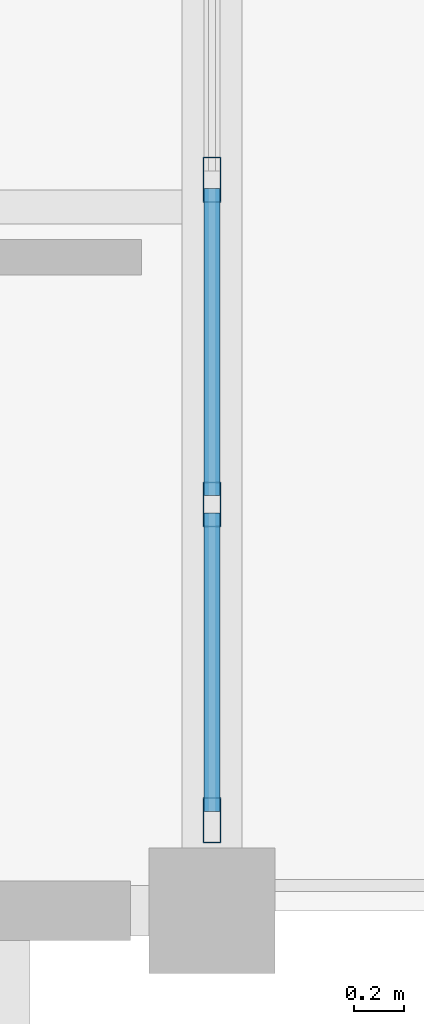
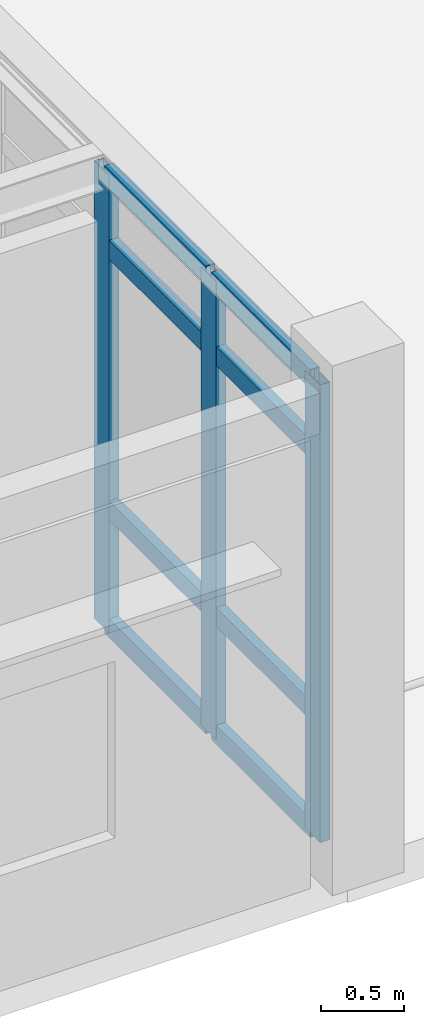
# One storey, part 31 of 70: 11 members, 1 element without a shape of its own.
"""IFC4 building model written with IfcOpenShell, lengths in metres."""

import ifcopenshell
import ifcopenshell.guid

model = None  # the IFC model being written
_history = None  # IfcOwnerHistory: only IFC2X3 demands one
_inside = {}  # id of a spatial element -> (the spatial element, [elements in it])
_under = {}  # id of a project, library or spatial element -> (it, [spatial elements below it])
_declared = {}  # id of a project -> (the project, [libraries it declares])
_typed = {}  # id of a type object -> (the type object, [elements of that type])
_made_of = {}  # id of a material, layer set ... -> (it, [elements and type objects made of it])


def new_model(schema):
    """Start an empty IFC model of exactly this schema.

    Asked for "IFC4X3", IfcOpenShell would pick the latest addendum, in which some entities
    have other attributes; the version numbers below select the first issue.
    IFC2X3 requires an IfcOwnerHistory on every rooted entity: one is made here for all.
    """
    global model, _history
    if schema == "IFC4X3":
        model = ifcopenshell.file(schema_version=(4, 3, 0, 0))
    else:
        model = ifcopenshell.file(schema=schema)
    _inside.clear()
    _under.clear()
    _declared.clear()
    _typed.clear()
    _made_of.clear()
    _history = None
    if model.schema == "IFC2X3":
        org = make("IfcOrganization", Name="unknown")
        user = make(
            "IfcPersonAndOrganization",
            ThePerson=make("IfcPerson", FamilyName="unknown"),
            TheOrganization=org,
        )
        app = make(
            "IfcApplication",
            ApplicationDeveloper=org,
            Version="unknown",
            ApplicationFullName="unknown",
            ApplicationIdentifier="unknown",
        )
        _history = make(
            "IfcOwnerHistory",
            OwningUser=user,
            OwningApplication=app,
            ChangeAction="ADDED",
            CreationDate=0,
        )
    return model


def make(cls, **values):
    """One entity of the class cls with the attributes given. An attribute that is None is left unset."""
    return model.create_entity(
        cls, **{name: value for name, value in values.items() if value is not None}
    )


def rooted(cls, **values):
    """An entity with a GlobalId (a new one), such as an element, a storey or a relation."""
    return make(cls, GlobalId=ifcopenshell.guid.new(), OwnerHistory=_history, **values)


def si_unit(unit_type, name, prefix=None):
    """IfcSIUnit, for example si_unit("LENGTHUNIT", "METRE", prefix="MILLI")."""
    return make("IfcSIUnit", UnitType=unit_type, Prefix=prefix, Name=name)


def assignment(units):
    """IfcUnitAssignment: the units of a project."""
    return None if units is None else make("IfcUnitAssignment", Units=units)


def point(xyz):
    """IfcCartesianPoint."""
    return None if xyz is None else make("IfcCartesianPoint", Coordinates=xyz)


def direction(xyz):
    """IfcDirection."""
    return None if xyz is None else make("IfcDirection", DirectionRatios=xyz)


def frame(location, z_axis=None, x_axis=None):
    """IfcAxis2Placement3D, a coordinate frame: its origin and axes. An axis left out is left unset."""
    return make(
        "IfcAxis2Placement3D",
        Location=point(location),
        Axis=direction(z_axis),
        RefDirection=direction(x_axis),
    )


def frame_2d(location, x_axis=None):
    """IfcAxis2Placement2D, a coordinate frame in the plane: its origin and x axis."""
    return make(
        "IfcAxis2Placement2D", Location=point(location), RefDirection=direction(x_axis)
    )


def origin():
    """The frame at (0, 0, 0) with its axes left unset."""
    return frame((0.0, 0.0, 0.0))


def origin_2d():
    """The frame at (0, 0) in the plane with its x axis left unset."""
    return frame_2d((0.0, 0.0))


def place(relative_to, where):
    """IfcLocalPlacement: puts the frame where relative to a parent placement (None: the world)."""
    return make(
        "IfcLocalPlacement", PlacementRelTo=relative_to, RelativePlacement=where
    )


def context(
    kind, dimensions, precision=None, world=None, true_north=None, identifier=None
):
    """IfcGeometricRepresentationContext, for example the 3D "Model" context."""
    return make(
        "IfcGeometricRepresentationContext",
        ContextIdentifier=identifier,
        ContextType=kind,
        CoordinateSpaceDimension=dimensions,
        Precision=precision,
        WorldCoordinateSystem=world,
        TrueNorth=true_north,
    )


def subcontext(parent, identifier, kind, view, scale=None):
    """IfcGeometricRepresentationSubContext, for example "Body" below "Model"."""
    return make(
        "IfcGeometricRepresentationSubContext",
        ContextIdentifier=identifier,
        ContextType=kind,
        ParentContext=parent,
        TargetScale=scale,
        TargetView=view,
    )


def project(units=None, contexts=None):
    """IfcProject with its units and contexts."""
    return rooted(
        "IfcProject",
        Name="project",
        RepresentationContexts=contexts,
        UnitsInContext=assignment(units),
    )


def spatial(cls, under=None, at=None, **own):
    """A site, building, storey or space (cls), placed at a placement, below another one or the project."""
    s = rooted(cls, ObjectPlacement=at, **own)
    if under is not None:
        _under.setdefault(under.id(), (under, []))[1].append(s)
    return s


def profile(cls, at=None, kind="AREA", **sizes):
    """A parametric profile (cls). Its sizes go by their IFC names, for example OverallWidth=200.0."""
    return make(cls, ProfileType=kind, Position=at, **sizes)


def hollow_rectangle(**sizes):
    """IfcRectangleHollowProfileDef."""
    return profile("IfcRectangleHollowProfileDef", **sizes)


def extrude(swept, where, along, depth):
    """IfcExtrudedAreaSolid: the profile swept, set in the frame where, extruded along a direction by depth."""
    return make(
        "IfcExtrudedAreaSolid",
        SweptArea=swept,
        Position=where,
        ExtrudedDirection=direction(along),
        Depth=depth,
    )


def shape(context_of_items, identifier, shape_type, items):
    """IfcShapeRepresentation: the items that make up one representation, for example the "Body"."""
    return make(
        "IfcShapeRepresentation",
        ContextOfItems=context_of_items,
        RepresentationIdentifier=identifier,
        RepresentationType=shape_type,
        Items=items,
    )


def material(Name=None, Category=None):
    """IfcMaterial."""
    return make("IfcMaterial", Name=Name, Category=Category)


def layer(
    of_material, thickness, ventilated=None, Name=None, Category=None, Priority=None
):
    """IfcMaterialLayer: one layer of a wall or slab, of a material (None: an air gap)."""
    return make(
        "IfcMaterialLayer",
        Material=of_material,
        LayerThickness=thickness,
        IsVentilated=ventilated,
        Name=Name,
        Category=Category,
        Priority=Priority,
    )


def layer_set(layers, Name=None):
    """IfcMaterialLayerSet."""
    return make("IfcMaterialLayerSet", MaterialLayers=layers, LayerSetName=Name)


def material_profile(
    of_material, cross_section, Name=None, Category=None, Priority=None
):
    """IfcMaterialProfile: a cross section and its material."""
    return make(
        "IfcMaterialProfile",
        Name=Name,
        Material=of_material,
        Profile=cross_section,
        Priority=Priority,
        Category=Category,
    )


def profile_set(profiles, Name=None, composite=None):
    """IfcMaterialProfileSet."""
    return make(
        "IfcMaterialProfileSet",
        Name=Name,
        MaterialProfiles=profiles,
        CompositeProfile=composite,
    )


def made_of(thing, what):
    """Note that an element or type object is made of a material, layer set ...; save() writes the relation."""
    if what is not None:
        _made_of.setdefault(what.id(), (what, []))[1].append(thing)
    return thing


def type_object(cls, material=None, **own):
    """A type object (cls), such as IfcWallType, which elements share."""
    return made_of(rooted(cls, **own), material)


def element(
    cls,
    number,
    at=None,
    inside=None,
    cuts=None,
    type_object=None,
    material=None,
    context=None,
    identifier="Body",
    shape_type=None,
    held_by="IfcProductDefinitionShape",
    body=None,
    shapes=None,
    **own,
):
    """One element of the class cls, such as IfcWall. Its Tag is "e" and its number.

    at: its placement. inside: the storey or other place that contains it. cuts: it is an
    opening in that element (IfcRelVoidsElement). A single representation is given by context,
    identifier, shape_type and body (its items); several are given by shapes. held_by: the class
    of the entity that holds the representations. save() writes the other relations.
    """
    e = rooted(cls, Tag="e%d" % number, ObjectPlacement=at, **own)
    if body is not None:
        shapes = [shape(context, identifier, shape_type, body)]
    if shapes is not None:
        e.Representation = make(held_by, Representations=shapes)
    if inside is not None:
        _inside.setdefault(inside.id(), (inside, []))[1].append(e)
    if cuts is not None:
        rooted(
            "IfcRelVoidsElement", RelatingBuildingElement=cuts, RelatedOpeningElement=e
        )
    if type_object is not None:
        _typed.setdefault(type_object.id(), (type_object, []))[1].append(e)
    return made_of(e, material)


def aggregate(whole, parts):
    """IfcRelAggregates: a whole, such as a stair, and the parts it consists of."""
    return rooted("IfcRelAggregates", RelatingObject=whole, RelatedObjects=parts)


def save(model, path):
    """Write the relations noted so far, then the file.

    IfcRelAggregates (storeys below a building ...), IfcRelContainedInSpatialStructure (elements
    in a storey), IfcRelDefinesByType, IfcRelAssociatesMaterial and IfcRelDeclares: one each for
    every whole, place, type object, material and project.
    """
    for whole, parts in _under.values():
        aggregate(whole, parts)
    for where, things in _inside.values():
        rooted(
            "IfcRelContainedInSpatialStructure",
            RelatedElements=things,
            RelatingStructure=where,
        )
    for kind, things in _typed.values():
        rooted("IfcRelDefinesByType", RelatedObjects=things, RelatingType=kind)
    for what, things in _made_of.values():
        rooted("IfcRelAssociatesMaterial", RelatedObjects=things, RelatingMaterial=what)
    for by, libraries in _declared.values():
        rooted("IfcRelDeclares", RelatingContext=by, RelatedDefinitions=libraries)
    model.write(path)


model = new_model("IFC4")

# Units and contexts
model_context = context("Model", 3, precision=1e-05, world=origin(), true_north=direction((0.0, 1.0)))
body_context = subcontext(model_context, "Body", "Model", "MODEL_VIEW")
ifc_project = project(units=[si_unit("LENGTHUNIT", "METRE"), si_unit("AREAUNIT", "SQUARE_METRE"), si_unit("VOLUMEUNIT", "CUBIC_METRE"), si_unit("PLANEANGLEUNIT", "RADIAN"), si_unit("MASSUNIT", "GRAM", prefix="KILO")], contexts=[model_context])

# Site, building, storey
site_placement = place(None, origin())
site = spatial("IfcSite", under=ifc_project, at=site_placement, CompositionType="ELEMENT")
building_placement = place(site_placement, origin())
building = spatial("IfcBuilding", under=site, at=building_placement, Name="Bramfleet General Hospital", CompositionType="ELEMENT")
storey_placement = place(building_placement, frame((0.0, 0.0, 22.5)))
storey = spatial("IfcBuildingStorey", under=building, at=storey_placement, Name="L05", CompositionType="ELEMENT", Elevation=22.5)

# Curtain wall, members
ifc_material_1 = material(Name="Anodised aluminium and low-E triple glazing", Category="aluminium")
ifc_layer = layer(ifc_material_1, 0.179931640625, Name="CWT-CW-07")
ifc_layer_set = layer_set([ifc_layer], Name="Anodised aluminium and low-E triple glazing")
curtain_wall_type = type_object("IfcCurtainWallType", Name="CWT-CW-07", PredefinedType="USERDEFINED", material=ifc_layer_set)
curtain_wall_placement = place(storey_placement, origin())
curtain_wall = element("IfcCurtainWall", 1, at=curtain_wall_placement, inside=storey, type_object=curtain_wall_type, Name="L05 Curtain Wall 205", ObjectType="Unitised curtain wall", PredefinedType="USERDEFINED")
ifc_material_2 = material(Name="Anodised aluminium EN AW-6060", Category="aluminium")
ifc_material_profile_1 = material_profile(ifc_material_2, hollow_rectangle(XDim=0.070068359375, YDim=0.179931640625, WallThickness=0.00390625, at=origin_2d()), Name="ALU 180x70x4.0")
ifc_profile_set_1 = profile_set([ifc_material_profile_1], Name="Anodised aluminium EN AW-6060")
member_type_1 = type_object("IfcMemberType", Name="CWM-ALU180", PredefinedType="MULLION", material=ifc_profile_set_1)
member_1_placement = place(storey_placement, frame((159.60009765625, 95.308349609375, 0.0), z_axis=(0.0, 0.0, 1.0), x_axis=(1.0, 0.0, 0.0)))
member_1 = element("IfcMember", 2, at=member_1_placement, type_object=member_type_1, Name="CW-07 mullion 5", PredefinedType="MULLION", context=body_context, shape_type="SweptSolid", body=[
    extrude(hollow_rectangle(XDim=0.070068359375, YDim=0.179931640625, WallThickness=0.00390625, at=origin_2d()), origin(), (0.0, 0.0, 1.0), 3.3701171875),
])
member_2_placement = place(storey_placement, frame((159.60009765625, 94.0166015625, 0.0), z_axis=(0.0, 0.0, 1.0), x_axis=(1.0, 0.0, 0.0)))
member_2 = element("IfcMember", 3, at=member_2_placement, type_object=member_type_1, Name="CW-07 mullion 6", PredefinedType="MULLION", context=body_context, shape_type="SweptSolid", body=[
    extrude(hollow_rectangle(XDim=0.070068359375, YDim=0.179931640625, WallThickness=0.00390625, at=origin_2d()), origin(), (0.0, 0.0, 1.0), 3.3701171875),
])
member_3_placement = place(storey_placement, frame((159.60009765625, 92.760009765625, 0.0), z_axis=(0.0, 0.0, 1.0), x_axis=(1.0, 0.0, 0.0)))
member_3 = element("IfcMember", 4, at=member_3_placement, type_object=member_type_1, Name="CW-07 mullion 7", PredefinedType="MULLION", context=body_context, shape_type="SweptSolid", body=[
    extrude(hollow_rectangle(XDim=0.070068359375, YDim=0.179931640625, WallThickness=0.00390625, at=origin_2d()), origin(), (0.0, 0.0, 1.0), 3.3701171875),
])
ifc_material_profile_2 = material_profile(ifc_material_2, hollow_rectangle(XDim=0.06494140625, YDim=0.139892578125, WallThickness=0.00390625, at=origin_2d()), Name="ALU 140x65x4.0")
ifc_profile_set_2 = profile_set([ifc_material_profile_2], Name="Anodised aluminium EN AW-6060")
member_type_2 = type_object("IfcMemberType", Name="CWT-ALU140", PredefinedType="USERDEFINED", material=ifc_profile_set_2)
member_4_placement = place(storey_placement, frame((159.60009765625, 95.2734375, 0.032470703125), z_axis=(0.0, -1.0, 0.0), x_axis=(1.0, 0.0, 0.0)))
member_4 = element("IfcMember", 5, at=member_4_placement, type_object=member_type_2, Name="CW-07 transom 5.1", ObjectType="TRANSOM", PredefinedType="USERDEFINED", context=body_context, shape_type="SweptSolid", body=[
    extrude(hollow_rectangle(XDim=0.06494140625, YDim=0.139892578125, WallThickness=0.00390625, at=origin_2d()), origin(), (0.0, 0.0, 1.0), 1.2216796875),
])
member_5_placement = place(storey_placement, frame((159.60009765625, 95.2734375, 0.89990234375), z_axis=(0.0, -1.0, 0.0), x_axis=(1.0, 0.0, 0.0)))
member_5 = element("IfcMember", 6, at=member_5_placement, type_object=member_type_2, Name="CW-07 transom 5.2", ObjectType="TRANSOM", PredefinedType="USERDEFINED", context=body_context, shape_type="SweptSolid", body=[
    extrude(hollow_rectangle(XDim=0.06494140625, YDim=0.139892578125, WallThickness=0.00390625, at=origin_2d()), origin(), (0.0, 0.0, 1.0), 1.2216796875),
])
member_6_placement = place(storey_placement, frame((159.60009765625, 95.2734375, 2.820068359375), z_axis=(0.0, -1.0, 0.0), x_axis=(1.0, 0.0, 0.0)))
member_6 = element("IfcMember", 7, at=member_6_placement, type_object=member_type_2, Name="CW-07 transom 5.3", ObjectType="TRANSOM", PredefinedType="USERDEFINED", context=body_context, shape_type="SweptSolid", body=[
    extrude(hollow_rectangle(XDim=0.06494140625, YDim=0.139892578125, WallThickness=0.00390625, at=origin_2d()), origin(), (0.0, 0.0, 1.0), 1.2216796875),
])
member_7_placement = place(storey_placement, frame((159.60009765625, 95.2734375, 3.33740234375), z_axis=(0.0, -1.0, 0.0), x_axis=(1.0, 0.0, 0.0)))
member_7 = element("IfcMember", 8, at=member_7_placement, type_object=member_type_2, Name="CW-07 transom 5.4", ObjectType="TRANSOM", PredefinedType="USERDEFINED", context=body_context, shape_type="SweptSolid", body=[
    extrude(hollow_rectangle(XDim=0.06494140625, YDim=0.139892578125, WallThickness=0.00390625, at=origin_2d()), origin(), (0.0, 0.0, 1.0), 1.2216796875),
])
member_8_placement = place(storey_placement, frame((159.60009765625, 93.981689453125, 0.032470703125), z_axis=(0.0, -1.0, 0.0), x_axis=(1.0, 0.0, 0.0)))
member_8 = element("IfcMember", 9, at=member_8_placement, type_object=member_type_2, Name="CW-07 transom 6.1", ObjectType="TRANSOM", PredefinedType="USERDEFINED", context=body_context, shape_type="SweptSolid", body=[
    extrude(hollow_rectangle(XDim=0.06494140625, YDim=0.139892578125, WallThickness=0.00390625, at=origin_2d()), origin(), (0.0, 0.0, 1.0), 1.186767578125),
])
member_9_placement = place(storey_placement, frame((159.60009765625, 93.981689453125, 0.89990234375), z_axis=(0.0, -1.0, 0.0), x_axis=(1.0, 0.0, 0.0)))
member_9 = element("IfcMember", 10, at=member_9_placement, type_object=member_type_2, Name="CW-07 transom 6.2", ObjectType="TRANSOM", PredefinedType="USERDEFINED", context=body_context, shape_type="SweptSolid", body=[
    extrude(hollow_rectangle(XDim=0.06494140625, YDim=0.139892578125, WallThickness=0.00390625, at=origin_2d()), origin(), (0.0, 0.0, 1.0), 1.186767578125),
])
member_10_placement = place(storey_placement, frame((159.60009765625, 93.981689453125, 2.820068359375), z_axis=(0.0, -1.0, 0.0), x_axis=(1.0, 0.0, 0.0)))
member_10 = element("IfcMember", 11, at=member_10_placement, type_object=member_type_2, Name="CW-07 transom 6.3", ObjectType="TRANSOM", PredefinedType="USERDEFINED", context=body_context, shape_type="SweptSolid", body=[
    extrude(hollow_rectangle(XDim=0.06494140625, YDim=0.139892578125, WallThickness=0.00390625, at=origin_2d()), origin(), (0.0, 0.0, 1.0), 1.186767578125),
])
member_11_placement = place(storey_placement, frame((159.60009765625, 93.981689453125, 3.33740234375), z_axis=(0.0, -1.0, 0.0), x_axis=(1.0, 0.0, 0.0)))
member_11 = element("IfcMember", 12, at=member_11_placement, type_object=member_type_2, Name="CW-07 transom 6.4", ObjectType="TRANSOM", PredefinedType="USERDEFINED", context=body_context, shape_type="SweptSolid", body=[
    extrude(hollow_rectangle(XDim=0.06494140625, YDim=0.139892578125, WallThickness=0.00390625, at=origin_2d()), origin(), (0.0, 0.0, 1.0), 1.186767578125),
])
aggregate(curtain_wall, [member_1, member_2, member_3, member_4, member_5, member_6, member_7, member_8, member_9, member_10, member_11])

save(model, "model.ifc")
